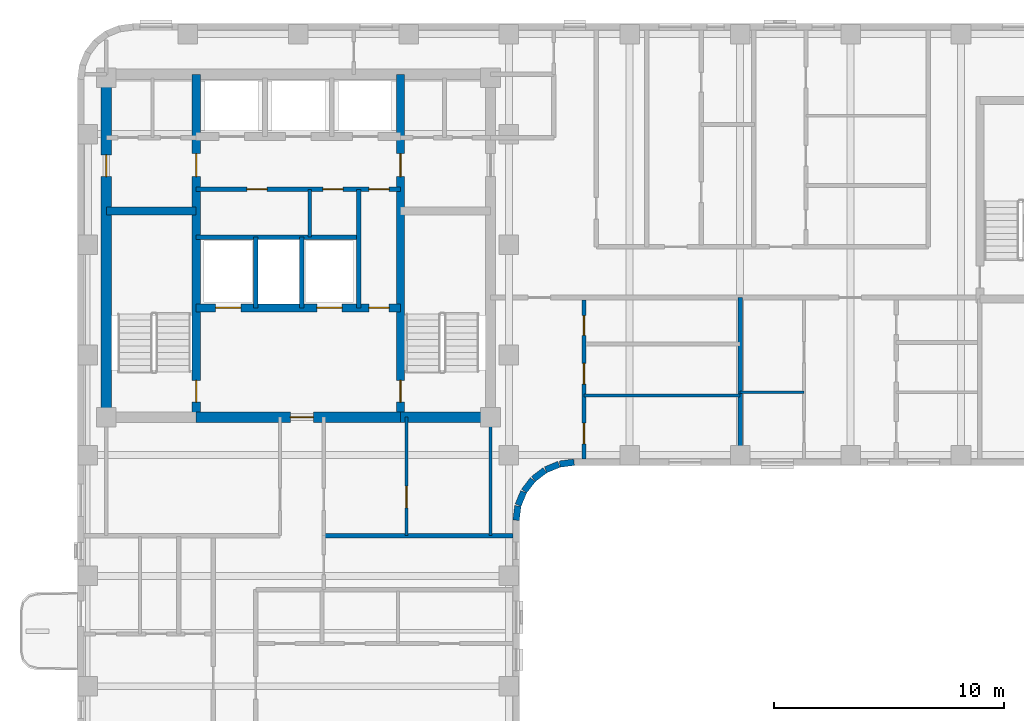
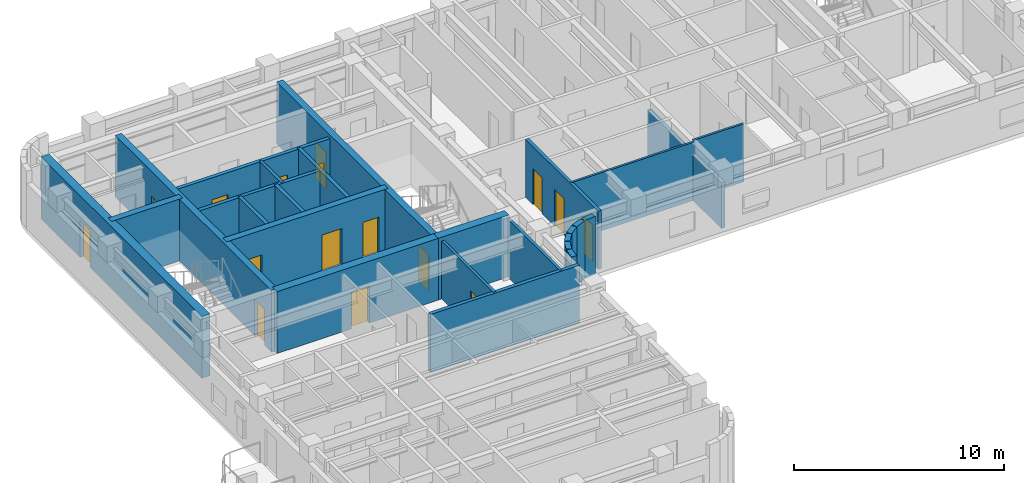
# One storey, part 4 of 10: 26 walls, 16 doors, 16 openings.
"""IFC4 building model written with IfcOpenShell, lengths in metres."""

from ifc_helpers import new_model, si_unit, direction, frame, frame_2d, origin, place, context, subcontext, project, spatial, rectangle, extrude, material, layer, layer_set, type_object, element, fill, save


model = new_model("IFC4")

# Units and contexts
model_context = context("Model", 3, precision=1e-05, world=origin(), true_north=direction((0.0, 1.0)))
body_context = subcontext(model_context, "Body", "Model", "MODEL_VIEW")
ifc_project = project(units=[si_unit("LENGTHUNIT", "METRE"), si_unit("AREAUNIT", "SQUARE_METRE"), si_unit("VOLUMEUNIT", "CUBIC_METRE"), si_unit("PLANEANGLEUNIT", "RADIAN"), si_unit("MASSUNIT", "GRAM", prefix="KILO")], contexts=[model_context])

# Site, building, storey
site_placement = place(None, origin())
site = spatial("IfcSite", under=ifc_project, at=site_placement, CompositionType="ELEMENT")
building_placement = place(site_placement, origin())
building = spatial("IfcBuilding", under=site, at=building_placement, Name="Orvandelia Arch Residences", CompositionType="ELEMENT")
storey_placement = place(building_placement, frame((0.0, 0.0, 218.199951171875)))
storey = spatial("IfcBuildingStorey", under=building, at=storey_placement, Name="L57", CompositionType="ELEMENT", Elevation=218.199951171875)

# Wall, openings, doors
ifc_material_1 = material(Name="Concrete C50/60", Category="concrete")
ifc_layer_1 = layer(ifc_material_1, 0.35009765625, Name="Concrete C50/60", Category="concrete")
ifc_layer_set_1 = layer_set([ifc_layer_1], Name="Concrete C50/60")
wall_type_1 = type_object("IfcWallType", Name="WL-CORE-350", PredefinedType="SHEAR", material=ifc_layer_set_1)
wall_1_placement = place(storey_placement, frame((9.9599609375, 30.89990234375, 0.0), z_axis=(0.0, 0.0, 1.0), x_axis=(0.0, 1.0, 0.0)))
wall_1 = element("IfcWall", 1, at=wall_1_placement, inside=storey, type_object=wall_type_1, Name="Core Shear Wall L57-WEB1", PredefinedType="SHEAR", context=body_context, shape_type="SweptSolid", body=[
    extrude(rectangle(XDim=14.900146484375, YDim=0.35009765625, at=frame_2d((7.4501953125, 0.0))), origin(), (0.0, 0.0, 1.0), 3.60009765625),
])
opening_1_placement = place(wall_1_placement, frame((0.64990234375, 0.0, 0.0)))
opening_1 = element("IfcOpeningElement", 2, at=opening_1_placement, cuts=wall_1, Name="Opening D7", PredefinedType="OPENING", context=body_context, shape_type="SweptSolid", body=[
    extrude(rectangle(XDim=0.949951171875, YDim=2.10009765625, at=frame_2d((0.47509765625, 1.050048828125))), frame((0.0, 0.18505859375, 0.0), z_axis=(0.0, -1.0, 0.0), x_axis=(1.0, 0.0, 0.0)), (0.0, 0.0, 1.0), 0.3701171875),
])
opening_2_placement = place(wall_1_placement, frame((10.449951171875, 0.0, 0.0)))
opening_2 = element("IfcOpeningElement", 3, at=opening_2_placement, cuts=wall_1, Name="Opening D6", PredefinedType="OPENING", context=body_context, shape_type="SweptSolid", body=[
    extrude(rectangle(XDim=1.0, YDim=2.14990234375, at=frame_2d((0.5, 1.074951171875))), frame((0.0, 0.18505859375, 0.0), z_axis=(0.0, -1.0, 0.0), x_axis=(1.0, 0.0, 0.0)), (0.0, 0.0, 1.0), 0.3701171875),
])
ifc_material_2 = material(Name="Smokeproof Painted Steel Fire Door", Category="steel")
door_type_1 = type_object("IfcDoorType", Name="DR-FD60-1000", OperationType="NOTDEFINED", PredefinedType="DOOR", material=ifc_material_2)
door_1_placement = place(opening_2_placement, origin())
door_1 = element("IfcDoor", 4, at=door_1_placement, inside=storey, type_object=door_type_1, Name="High-Rise Lift Hall West Vestibule Door L57", OperationType="SINGLE_SWING_LEFT", OverallHeight=2.14990234375, OverallWidth=1.0, PredefinedType="DOOR", context=body_context, shape_type="SweptSolid", body=[
    extrude(rectangle(XDim=1.0, YDim=2.14990234375, at=frame_2d((0.5, 1.074951171875))), frame((0.0, 0.02490234375, 0.0), z_axis=(0.0, -1.0, 0.0), x_axis=(1.0, 0.0, 0.0)), (0.0, 0.0, 1.0), 0.050048828125),
])
fill(opening_2, door_1)
ifc_material_3 = material(Name="Pressurised Stairwell Fire Door")
door_type_2 = type_object("IfcDoorType", Name="DR-STAIR-950", OperationType="NOTDEFINED", PredefinedType="DOOR", material=ifc_material_3)
door_2_placement = place(opening_1_placement, origin())
door_2 = element("IfcDoor", 5, at=door_2_placement, inside=storey, type_object=door_type_2, Name="Stairwell ST-1 Fire Door L57", OperationType="SINGLE_SWING_LEFT", OverallHeight=2.10009765625, OverallWidth=0.949951171875, PredefinedType="DOOR", context=body_context, shape_type="SweptSolid", body=[
    extrude(rectangle(XDim=0.949951171875, YDim=2.10009765625, at=frame_2d((0.47509765625, 1.050048828125))), frame((0.0, 0.02490234375, 0.0), z_axis=(0.0, -1.0, 0.0), x_axis=(1.0, 0.0, 0.0)), (0.0, 0.0, 1.0), 0.050048828125),
])
fill(opening_1, door_2)

wall_2_placement = place(storey_placement, frame((18.840087890625, 30.89990234375, 0.0), z_axis=(0.0, 0.0, 1.0), x_axis=(0.0, 1.0, 0.0)))
wall_2 = element("IfcWall", 6, at=wall_2_placement, inside=storey, type_object=wall_type_1, Name="Core Shear Wall L57-WEB2", PredefinedType="SHEAR", context=body_context, shape_type="SweptSolid", body=[
    extrude(rectangle(XDim=14.900146484375, YDim=0.35009765625, at=frame_2d((7.4501953125, 0.0))), origin(), (0.0, 0.0, 1.0), 3.60009765625),
])
opening_3_placement = place(wall_2_placement, frame((0.64990234375, 0.0, 0.0)))
opening_3 = element("IfcOpeningElement", 7, at=opening_3_placement, cuts=wall_2, Name="Opening D7", PredefinedType="OPENING", context=body_context, shape_type="SweptSolid", body=[
    extrude(rectangle(XDim=0.949951171875, YDim=2.10009765625, at=frame_2d((0.47509765625, 1.050048828125))), frame((0.0, 0.18505859375, 0.0), z_axis=(0.0, -1.0, 0.0), x_axis=(1.0, 0.0, 0.0)), (0.0, 0.0, 1.0), 0.3701171875),
])
opening_4_placement = place(wall_2_placement, frame((10.449951171875, 0.0, 0.0)))
opening_4 = element("IfcOpeningElement", 8, at=opening_4_placement, cuts=wall_2, Name="Opening D6", PredefinedType="OPENING", context=body_context, shape_type="SweptSolid", body=[
    extrude(rectangle(XDim=1.0, YDim=2.14990234375, at=frame_2d((0.5, 1.074951171875))), frame((0.0, 0.18505859375, 0.0), z_axis=(0.0, -1.0, 0.0), x_axis=(1.0, 0.0, 0.0)), (0.0, 0.0, 1.0), 0.3701171875),
])
door_3_placement = place(opening_4_placement, origin())
door_3 = element("IfcDoor", 9, at=door_3_placement, inside=storey, type_object=door_type_1, Name="High-Rise Lift Hall East Vestibule Door L57", OperationType="SINGLE_SWING_RIGHT", OverallHeight=2.14990234375, OverallWidth=1.0, PredefinedType="DOOR", context=body_context, shape_type="SweptSolid", body=[
    extrude(rectangle(XDim=1.0, YDim=2.14990234375, at=frame_2d((0.5, 1.074951171875))), frame((0.0, 0.02490234375, 0.0), z_axis=(0.0, -1.0, 0.0), x_axis=(1.0, 0.0, 0.0)), (0.0, 0.0, 1.0), 0.050048828125),
])
fill(opening_4, door_3)
door_4_placement = place(opening_3_placement, origin())
door_4 = element("IfcDoor", 10, at=door_4_placement, inside=storey, type_object=door_type_2, Name="Stairwell ST-2 Fire Door L57", OperationType="SINGLE_SWING_RIGHT", OverallHeight=2.10009765625, OverallWidth=0.949951171875, PredefinedType="DOOR", context=body_context, shape_type="SweptSolid", body=[
    extrude(rectangle(XDim=0.949951171875, YDim=2.10009765625, at=frame_2d((0.47509765625, 1.050048828125))), frame((0.0, 0.02490234375, 0.0), z_axis=(0.0, -1.0, 0.0), x_axis=(1.0, 0.0, 0.0)), (0.0, 0.0, 1.0), 0.050048828125),
])
fill(opening_3, door_4)

# Wall
wall_3_placement = place(storey_placement, frame((6.050048828125, 39.85009765625, 0.0), z_axis=(0.0, 0.0, 1.0), x_axis=(1.0, 0.0, 0.0)))
element("IfcWall", 11, at=wall_3_placement, inside=storey, type_object=wall_type_1, Name="Core Shear Wall L57-HZ1", PredefinedType="SHEAR", context=body_context, shape_type="SweptSolid", body=[
    extrude(rectangle(XDim=3.909912109375, YDim=0.35009765625, at=frame_2d((1.955078125, 0.0))), origin(), (0.0, 0.0, 1.0), 3.60009765625),
])

# Wall, openings, doors
wall_4_placement = place(storey_placement, frame((9.9599609375, 35.64990234375, 0.0), z_axis=(0.0, 0.0, 1.0), x_axis=(1.0, 0.0, 0.0)))
wall_4 = element("IfcWall", 12, at=wall_4_placement, inside=storey, type_object=wall_type_1, Name="Core Shear Wall L57-HZ3", PredefinedType="SHEAR", context=body_context, shape_type="SweptSolid", body=[
    extrude(rectangle(XDim=8.880126953125, YDim=0.35009765625, at=frame_2d((4.43994140625, 0.0))), origin(), (0.0, 0.0, 1.0), 3.60009765625),
])
opening_5_placement = place(wall_4_placement, frame((0.840087890625, 0.0, 0.0)))
opening_5 = element("IfcOpeningElement", 13, at=opening_5_placement, cuts=wall_4, Name="Opening FLD", PredefinedType="OPENING", context=body_context, shape_type="SweptSolid", body=[
    extrude(rectangle(XDim=1.10009765625, YDim=2.14990234375, at=frame_2d((0.550048828125, 1.074951171875))), frame((0.0, 0.18505859375, 0.0), z_axis=(0.0, -1.0, 0.0), x_axis=(1.0, 0.0, 0.0)), (0.0, 0.0, 1.0), 0.3701171875),
])
opening_6_placement = place(wall_4_placement, frame((5.239990234375, 0.0, 0.0)))
opening_6 = element("IfcOpeningElement", 14, at=opening_6_placement, cuts=wall_4, Name="Opening FLD", PredefinedType="OPENING", context=body_context, shape_type="SweptSolid", body=[
    extrude(rectangle(XDim=1.10009765625, YDim=2.14990234375, at=frame_2d((0.550048828125, 1.074951171875))), frame((0.0, 0.18505859375, 0.0), z_axis=(0.0, -1.0, 0.0), x_axis=(1.0, 0.0, 0.0)), (0.0, 0.0, 1.0), 0.3701171875),
])
opening_7_placement = place(wall_4_placement, frame((7.5, 0.0, 0.0)))
opening_7 = element("IfcOpeningElement", 15, at=opening_7_placement, cuts=wall_4, Name="Opening D5", PredefinedType="OPENING", context=body_context, shape_type="SweptSolid", body=[
    extrude(rectangle(XDim=0.8798828125, YDim=2.10009765625, at=frame_2d((0.43994140625, 1.050048828125))), frame((0.0, 0.18505859375, 0.0), z_axis=(0.0, -1.0, 0.0), x_axis=(1.0, 0.0, 0.0)), (0.0, 0.0, 1.0), 0.3701171875),
])
ifc_material_4 = material(Name="Firefighting Lift Stainless Sliding Door")
door_type_3 = type_object("IfcDoorType", Name="DR-FLFT-1100", OperationType="NOTDEFINED", PredefinedType="DOOR", material=ifc_material_4)
door_5_placement = place(opening_5_placement, origin())
door_5 = element("IfcDoor", 16, at=door_5_placement, inside=storey, type_object=door_type_3, Name="Firefighting Lift Landing Door FLD-FL1-L57", OperationType="SLIDING_TO_LEFT", OverallHeight=2.14990234375, OverallWidth=1.10009765625, PredefinedType="DOOR", context=body_context, shape_type="SweptSolid", body=[
    extrude(rectangle(XDim=1.10009765625, YDim=2.14990234375, at=frame_2d((0.550048828125, 1.074951171875))), frame((0.0, 0.02490234375, 0.0), z_axis=(0.0, -1.0, 0.0), x_axis=(1.0, 0.0, 0.0)), (0.0, 0.0, 1.0), 0.050048828125),
])
fill(opening_5, door_5)
door_6_placement = place(opening_6_placement, origin())
door_6 = element("IfcDoor", 17, at=door_6_placement, inside=storey, type_object=door_type_3, Name="Firefighting Lift Landing Door FLD-FL2-L57", OperationType="SLIDING_TO_RIGHT", OverallHeight=2.14990234375, OverallWidth=1.10009765625, PredefinedType="DOOR", context=body_context, shape_type="SweptSolid", body=[
    extrude(rectangle(XDim=1.10009765625, YDim=2.14990234375, at=frame_2d((0.550048828125, 1.074951171875))), frame((0.0, 0.02490234375, 0.0), z_axis=(0.0, -1.0, 0.0), x_axis=(1.0, 0.0, 0.0)), (0.0, 0.0, 1.0), 0.050048828125),
])
fill(opening_6, door_6)
ifc_material_5 = material(Name="Painted Galvanised Steel Service Door", Category="steel")
door_type_4 = type_object("IfcDoorType", Name="DR-SRV-880", OperationType="NOTDEFINED", PredefinedType="DOOR", material=ifc_material_5)
door_7_placement = place(opening_7_placement, origin())
door_7 = element("IfcDoor", 18, at=door_7_placement, inside=storey, type_object=door_type_4, Name="Core Stairway Passage South Fire Door L57", OperationType="SINGLE_SWING_LEFT", OverallHeight=2.10009765625, OverallWidth=0.8798828125, PredefinedType="DOOR", context=body_context, shape_type="SweptSolid", body=[
    extrude(rectangle(XDim=0.8798828125, YDim=2.10009765625, at=frame_2d((0.43994140625, 1.050048828125))), frame((0.0, 0.02490234375, 0.0), z_axis=(0.0, -1.0, 0.0), x_axis=(1.0, 0.0, 0.0)), (0.0, 0.0, 1.0), 0.050048828125),
])
fill(opening_7, door_7)

# Wall, opening, door
ifc_layer_2 = layer(ifc_material_1, 0.449951171875, Name="Concrete C50/60", Category="concrete")
ifc_layer_set_2 = layer_set([ifc_layer_2], Name="Concrete C50/60")
wall_type_2 = type_object("IfcWallType", Name="WL-CORE-450", PredefinedType="SHEAR", material=ifc_layer_set_2)
wall_5_placement = place(storey_placement, frame((6.050048828125, 30.675048828125, 0.0), z_axis=(0.0, 0.0, 1.0), x_axis=(0.0, 1.0, 0.0)))
wall_5 = element("IfcWall", 19, at=wall_5_placement, inside=storey, type_object=wall_type_2, Name="Core Shear Wall L57-W", PredefinedType="SHEAR", context=body_context, shape_type="SweptSolid", body=[
    extrude(rectangle(XDim=15.349853515625, YDim=0.449951171875, at=frame_2d((7.6748046875, 0.0))), origin(), (0.0, 0.0, 1.0), 3.60009765625),
])
opening_8_placement = place(wall_5_placement, frame((10.675048828125, 0.0, 0.0)))
opening_8 = element("IfcOpeningElement", 20, at=opening_8_placement, cuts=wall_5, Name="Opening D2", PredefinedType="OPENING", context=body_context, shape_type="SweptSolid", body=[
    extrude(rectangle(XDim=0.949951171875, YDim=2.14990234375, at=frame_2d((0.47509765625, 1.074951171875))), frame((0.0, 0.23486328125, 0.0), z_axis=(0.0, -1.0, 0.0), x_axis=(1.0, 0.0, 0.0)), (0.0, 0.0, 1.0), 0.469970703125),
])
ifc_material_6 = material(Name="Solid-Core Timber Interior Fire Door", Category="wood")
door_type_5 = type_object("IfcDoorType", Name="DR-APT-950", OperationType="NOTDEFINED", PredefinedType="DOOR", material=ifc_material_6)
door_8_placement = place(opening_8_placement, origin())
door_8 = element("IfcDoor", 21, at=door_8_placement, inside=storey, type_object=door_type_5, Name="West Viewing Study Door L57", OperationType="SINGLE_SWING_RIGHT", OverallHeight=2.14990234375, OverallWidth=0.949951171875, PredefinedType="DOOR", context=body_context, shape_type="SweptSolid", body=[
    extrude(rectangle(XDim=0.949951171875, YDim=2.14990234375, at=frame_2d((0.47509765625, 1.074951171875))), frame((0.0, 0.02490234375, 0.0), z_axis=(0.0, -1.0, 0.0), x_axis=(1.0, 0.0, 0.0)), (0.0, 0.0, 1.0), 0.050048828125),
])
fill(opening_8, door_8)

wall_6_placement = place(storey_placement, frame((9.9599609375, 30.89990234375, 0.0), z_axis=(0.0, 0.0, 1.0), x_axis=(1.0, 0.0, 0.0)))
wall_6 = element("IfcWall", 22, at=wall_6_placement, inside=storey, type_object=wall_type_2, Name="Core Shear Wall L57-SM", PredefinedType="SHEAR", context=body_context, shape_type="SweptSolid", body=[
    extrude(rectangle(XDim=8.880126953125, YDim=0.449951171875, at=frame_2d((4.43994140625, 0.0))), origin(), (0.0, 0.0, 1.0), 3.60009765625),
])
opening_9_placement = place(wall_6_placement, frame((4.090087890625, 0.0, 0.0)))
opening_9 = element("IfcOpeningElement", 23, at=opening_9_placement, cuts=wall_6, Name="Opening D6", PredefinedType="OPENING", context=body_context, shape_type="SweptSolid", body=[
    extrude(rectangle(XDim=1.0, YDim=2.14990234375, at=frame_2d((0.5, 1.074951171875))), frame((0.0, 0.23486328125, 0.0), z_axis=(0.0, -1.0, 0.0), x_axis=(1.0, 0.0, 0.0)), (0.0, 0.0, 1.0), 0.469970703125),
])
door_9_placement = place(opening_9_placement, origin())
door_9 = element("IfcDoor", 24, at=door_9_placement, inside=storey, type_object=door_type_1, Name="Firefighting Lobby Smokeproof Door L57", OperationType="SINGLE_SWING_LEFT", OverallHeight=2.14990234375, OverallWidth=1.0, PredefinedType="DOOR", context=body_context, shape_type="SweptSolid", body=[
    extrude(rectangle(XDim=1.0, YDim=2.14990234375, at=frame_2d((0.5, 1.074951171875))), frame((0.0, 0.02490234375, 0.0), z_axis=(0.0, -1.0, 0.0), x_axis=(1.0, 0.0, 0.0)), (0.0, 0.0, 1.0), 0.050048828125),
])
fill(opening_9, door_9)

# Walls
wall_7_placement = place(storey_placement, frame((18.840087890625, 30.89990234375, 0.0), z_axis=(0.0, 0.0, 1.0), x_axis=(1.0, 0.0, 0.0)))
element("IfcWall", 25, at=wall_7_placement, inside=storey, type_object=wall_type_2, Name="Core Shear Wall L57-SE", PredefinedType="SHEAR", context=body_context, shape_type="SweptSolid", body=[
    extrude(rectangle(XDim=3.909912109375, YDim=0.449951171875, at=frame_2d((1.955078125, 0.0))), origin(), (0.0, 0.0, 1.0), 3.60009765625),
])
ifc_material_7 = material(Name="Fire-Rated Corridor Partition")
ifc_layer_3 = layer(ifc_material_7, 0.199951171875, Name="Fire-Rated Corridor Partition")
ifc_layer_set_3 = layer_set([ifc_layer_3], Name="Fire-Rated Corridor Partition")
wall_type_3 = type_object("IfcWallType", Name="WL-CORR-200", PredefinedType="PARTITIONING", material=ifc_layer_set_3)
wall_8_placement = place(storey_placement, frame((15.5, 25.75, 0.0), z_axis=(0.0, 0.0, 1.0), x_axis=(1.0, 0.0, 0.0)))
element("IfcWall", 26, at=wall_8_placement, inside=storey, type_object=wall_type_3, Name="Interior Partition Wall WL-L57-WLNK-NE2", PredefinedType="PARTITIONING", context=body_context, shape_type="SweptSolid", body=[
    extrude(rectangle(XDim=8.219970703125, YDim=0.199951171875, at=frame_2d((4.10986328125, 0.0))), origin(), (0.0, 0.0, 1.0), 3.380126953125),
])
ifc_material_8 = material(Name="Concrete C40/50", Category="concrete")
ifc_layer_4 = layer(ifc_material_8, 0.199951171875, Name="Concrete C40/50", Category="concrete")
ifc_layer_set_4 = layer_set([ifc_layer_4], Name="Concrete C40/50")
wall_type_4 = type_object("IfcWallType", Name="WL-DEM-200", PredefinedType="SOLIDWALL", material=ifc_layer_set_4)
wall_9_placement = place(storey_placement, frame((33.60009765625, 29.080078125, 0.0), z_axis=(0.0, 0.0, 1.0), x_axis=(0.0, 1.0, 0.0)))
element("IfcWall", 27, at=wall_9_placement, inside=storey, type_object=wall_type_4, Name="Interior Partition Wall WL-L57-DEM-EMS-336", PredefinedType="SOLIDWALL", context=body_context, shape_type="SweptSolid", body=[
    extrude(rectangle(XDim=7.02001953125, YDim=0.199951171875, at=frame_2d((3.510009765625, 0.0))), origin(), (0.0, 0.0, 1.0), 2.66015625),
])
ifc_material_9 = material(Name="Precast concrete C40/50", Category="concrete")
ifc_layer_5 = layer(ifc_material_9, 0.280029296875, Name="Precast concrete C40/50", Category="concrete")
ifc_layer_set_5 = layer_set([ifc_layer_5], Name="Precast concrete C40/50")
wall_type_5 = type_object("IfcWallType", Name="WL-EXT-STONE-280", PredefinedType="STANDARD", material=ifc_layer_set_5)
wall_10_placement = place(storey_placement, frame((26.381591796875, 28.938720703125, 0.0), z_axis=(0.0, 0.0, 1.0), x_axis=(-0.9914410257, -0.130555323746, 0.0)))
element("IfcWall", 28, at=wall_10_placement, inside=storey, type_object=wall_type_5, Name="Coral-Limestone Precast Facade Wall L57-022", PredefinedType="STANDARD", context=body_context, shape_type="SweptSolid", body=[
    extrude(rectangle(XDim=0.62646484375, YDim=0.280029296875, at=frame_2d((0.313232421875, 0.0))), origin(), (0.0, 0.0, 1.0), 3.380126953125),
])
wall_11_placement = place(storey_placement, frame((25.72509765625, 28.847412109375, 0.0), z_axis=(0.0, 0.0, 1.0), x_axis=(-0.923974080304, -0.382455093999, 0.0)))
element("IfcWall", 29, at=wall_11_placement, inside=storey, type_object=wall_type_5, Name="Coral-Limestone Precast Facade Wall L57-023", PredefinedType="STANDARD", context=body_context, shape_type="SweptSolid", body=[
    extrude(rectangle(XDim=0.626220703125, YDim=0.280029296875, at=frame_2d((0.31298828125, 0.0))), origin(), (0.0, 0.0, 1.0), 3.380126953125),
])
for number, where, z_axis, x_axis, name in (
    (30, (25.11474609375, 28.589599609375, 0.0), (0.0, 0.0, 1.0), (-0.793405610854, -0.608693302629, 0.0), "Coral-Limestone Precast Facade Wall L57-024"),
    (31, (24.591796875, 28.182373046875, 0.0), (0.0, 0.0, 1.0), (-0.608693302629, -0.793405610854, 0.0), "Coral-Limestone Precast Facade Wall L57-025"),
    (32, (24.192138671875, 27.653564453125, 0.0), (0.0, 0.0, 1.0), (-0.382650053678, -0.92389335771, 0.0), "Coral-Limestone Precast Facade Wall L57-026"),
):
    element("IfcWall", number, at=place(storey_placement, frame(where, z_axis=z_axis, x_axis=x_axis)), inside=storey, type_object=wall_type_5, Name=name, PredefinedType="STANDARD", context=body_context, shape_type="SweptSolid", body=[
        extrude(rectangle(XDim=0.62646484375, YDim=0.280029296875, at=frame_2d((0.313232421875, 0.0))), origin(), (0.0, 0.0, 1.0), 3.380126953125),
    ])
wall_12_placement = place(storey_placement, frame((23.943115234375, 27.03955078125, 0.0), z_axis=(0.0, 0.0, 1.0), x_axis=(-0.130887801573, -0.991397187508, 0.0)))
element("IfcWall", 33, at=wall_12_placement, inside=storey, type_object=wall_type_5, Name="Coral-Limestone Precast Facade Wall L57-027", PredefinedType="STANDARD", context=body_context, shape_type="SweptSolid", body=[
    extrude(rectangle(XDim=0.626708984375, YDim=0.280029296875, at=frame_2d((0.3134765625, 0.0))), origin(), (0.0, 0.0, 1.0), 3.380126953125),
])
ifc_material_10 = material(Name="Lightweight Gypsum Stud Partition")
ifc_layer_6 = layer(ifc_material_10, 0.1201171875, Name="Lightweight Gypsum Stud Partition")
ifc_layer_set_6 = layer_set([ifc_layer_6], Name="Lightweight Gypsum Stud Partition")
wall_type_6 = type_object("IfcWallType", Name="WL-PART-120", PredefinedType="PARTITIONING", material=ifc_layer_set_6)
wall_13_placement = place(storey_placement, frame((26.81298828125, 31.8359375, 0.0), z_axis=(0.0, 0.0, 1.0), x_axis=(1.0, 0.0, 0.0)))
element("IfcWall", 34, at=wall_13_placement, inside=storey, type_object=wall_type_6, Name="Interior Partition Wall WL-L57-U05-H1", PredefinedType="PARTITIONING", context=body_context, shape_type="SweptSolid", body=[
    extrude(rectangle(XDim=6.787109375, YDim=0.1201171875, at=frame_2d((3.3935546875, 0.0))), origin(), (0.0, 0.0, 1.0), 3.380126953125),
])
wall_14_placement = place(storey_placement, frame((33.60009765625, 31.97509765625, 0.0), z_axis=(0.0, 0.0, 1.0), x_axis=(1.0, 0.0, 0.0)))
element("IfcWall", 35, at=wall_14_placement, inside=storey, type_object=wall_type_6, Name="Interior Partition Wall WL-L57-U06-HB", PredefinedType="PARTITIONING", context=body_context, shape_type="SweptSolid", body=[
    extrude(rectangle(XDim=2.77490234375, YDim=0.1201171875, at=frame_2d((1.387451171875, 0.0))), origin(), (0.0, 0.0, 1.0), 3.380126953125),
])
ifc_material_11 = material(Name="Acoustic Gypsum Stud Partition")
ifc_layer_7 = layer(ifc_material_11, 0.14990234375, Name="Acoustic Gypsum Stud Partition")
ifc_layer_set_7 = layer_set([ifc_layer_7], Name="Acoustic Gypsum Stud Partition")
wall_type_7 = type_object("IfcWallType", Name="WL-PART-150", PredefinedType="PARTITIONING", material=ifc_layer_set_7)
wall_15_placement = place(storey_placement, frame((14.89990234375, 38.719970703125, 0.0), z_axis=(0.0, 0.0, 1.0), x_axis=(0.0, 1.0, 0.0)))
element("IfcWall", 36, at=wall_15_placement, inside=storey, type_object=wall_type_7, Name="Interior Partition Wall WL-L57-CSA-1", PredefinedType="PARTITIONING", context=body_context, shape_type="SweptSolid", body=[
    extrude(rectangle(XDim=2.080078125, YDim=0.14990234375, at=frame_2d((1.0400390625, 0.0))), origin(), (0.0, 0.0, 1.0), 3.380126953125),
])
wall_16_placement = place(storey_placement, frame((22.75, 25.75, 0.0), z_axis=(0.0, 0.0, 1.0), x_axis=(0.0, 1.0, 0.0)))
element("IfcWall", 37, at=wall_16_placement, inside=storey, type_object=wall_type_7, Name="Interior Partition Wall WL-L57-HI-WE", PredefinedType="PARTITIONING", context=body_context, shape_type="SweptSolid", body=[
    extrude(rectangle(XDim=5.14990234375, YDim=0.14990234375, at=frame_2d((2.574951171875, 0.0))), origin(), (0.0, 0.0, 1.0), 3.380126953125),
])

# Wall, opening, door
wall_17_placement = place(storey_placement, frame((19.10009765625, 25.75, 0.0), z_axis=(0.0, 0.0, 1.0), x_axis=(0.0, 1.0, 0.0)))
wall_17 = element("IfcWall", 38, at=wall_17_placement, inside=storey, type_object=wall_type_7, Name="Interior Partition Wall WL-L57-HIR-M2", PredefinedType="PARTITIONING", context=body_context, shape_type="SweptSolid", body=[
    extrude(rectangle(XDim=5.14990234375, YDim=0.14990234375, at=frame_2d((2.574951171875, 0.0))), origin(), (0.0, 0.0, 1.0), 3.380126953125),
])
opening_10_placement = place(wall_17_placement, frame((1.199951171875, 0.0, 0.0)))
opening_10 = element("IfcOpeningElement", 39, at=opening_10_placement, cuts=wall_17, Name="Opening D2", PredefinedType="OPENING", context=body_context, shape_type="SweptSolid", body=[
    extrude(rectangle(XDim=0.949951171875, YDim=2.14990234375, at=frame_2d((0.47509765625, 1.074951171875))), frame((0.0, 0.0849609375, 0.0), z_axis=(0.0, -1.0, 0.0), x_axis=(1.0, 0.0, 0.0)), (0.0, 0.0, 1.0), 0.169921875),
])
door_10_placement = place(opening_10_placement, origin())
door_10 = element("IfcDoor", 40, at=door_10_placement, inside=storey, type_object=door_type_5, Name="DR-L57-HIR2B", OperationType="SINGLE_SWING_LEFT", OverallHeight=2.14990234375, OverallWidth=0.949951171875, PredefinedType="DOOR", context=body_context, shape_type="SweptSolid", body=[
    extrude(rectangle(XDim=0.949951171875, YDim=2.14990234375, at=frame_2d((0.47509765625, 1.074951171875))), frame((0.0, 0.02490234375, 0.0), z_axis=(0.0, -1.0, 0.0), x_axis=(1.0, 0.0, 0.0)), (0.0, 0.0, 1.0), 0.050048828125),
])
fill(opening_10, door_10)

# Walls
ifc_material_12 = material(Name="Fire-Rated Shaft Enclosure Wall")
ifc_layer_8 = layer(ifc_material_12, 0.199951171875, Name="Fire-Rated Shaft Enclosure Wall")
ifc_layer_set_8 = layer_set([ifc_layer_8], Name="Fire-Rated Shaft Enclosure Wall")
wall_type_8 = type_object("IfcWallType", Name="WL-SHAFT-200", PredefinedType="POLYGONAL", material=ifc_layer_set_8)
wall_18_placement = place(storey_placement, frame((9.9599609375, 38.719970703125, 0.0), z_axis=(0.0, 0.0, 1.0), x_axis=(1.0, 0.0, 0.0)))
element("IfcWall", 41, at=wall_18_placement, inside=storey, type_object=wall_type_8, Name="Interior Partition Wall WL-L57-FLN", PredefinedType="POLYGONAL", context=body_context, shape_type="SweptSolid", body=[
    extrude(rectangle(XDim=7.06005859375, YDim=0.199951171875, at=frame_2d((3.530029296875, 0.0))), origin(), (0.0, 0.0, 1.0), 3.380126953125),
])
for number, where, z_axis, x_axis, name in (
    (42, (12.550048828125, 35.64990234375, 0.0), (0.0, 0.0, 1.0), (0.0, 1.0, 0.0), "Interior Partition Wall WL-L57-FLM1"),
    (43, (14.550048828125, 35.64990234375, 0.0), (0.0, 0.0, 1.0), (0.0, 1.0, 0.0), "Interior Partition Wall WL-L57-FLM2"),
):
    element("IfcWall", number, at=place(storey_placement, frame(where, z_axis=z_axis, x_axis=x_axis)), inside=storey, type_object=wall_type_8, Name=name, PredefinedType="POLYGONAL", context=body_context, shape_type="SweptSolid", body=[
        extrude(rectangle(XDim=3.070068359375, YDim=0.199951171875, at=frame_2d((1.53515625, 0.0))), origin(), (0.0, 0.0, 1.0), 3.380126953125),
    ])
wall_19_placement = place(storey_placement, frame((17.02001953125, 35.64990234375, 0.0), z_axis=(0.0, 0.0, 1.0), x_axis=(0.0, 1.0, 0.0)))
element("IfcWall", 44, at=wall_19_placement, inside=storey, type_object=wall_type_8, Name="Interior Partition Wall WL-L57-FLM3", PredefinedType="POLYGONAL", context=body_context, shape_type="SweptSolid", body=[
    extrude(rectangle(XDim=5.150146484375, YDim=0.199951171875, at=frame_2d((2.5751953125, 0.0))), origin(), (0.0, 0.0, 1.0), 3.380126953125),
])

# Wall, openings, doors
wall_20_placement = place(storey_placement, frame((9.9599609375, 40.800048828125, 0.0), z_axis=(0.0, 0.0, 1.0), x_axis=(1.0, 0.0, 0.0)))
wall_20 = element("IfcWall", 45, at=wall_20_placement, inside=storey, type_object=wall_type_8, Name="Interior Partition Wall WL-L57-HLH-S", PredefinedType="POLYGONAL", context=body_context, shape_type="SweptSolid", body=[
    extrude(rectangle(XDim=8.880126953125, YDim=0.199951171875, at=frame_2d((4.43994140625, 0.0))), origin(), (0.0, 0.0, 1.0), 3.380126953125),
])
opening_11_placement = place(wall_20_placement, frame((7.5, 0.0, 0.0)))
opening_11 = element("IfcOpeningElement", 46, at=opening_11_placement, cuts=wall_20, Name="Opening D5", PredefinedType="OPENING", context=body_context, shape_type="SweptSolid", body=[
    extrude(rectangle(XDim=0.8798828125, YDim=2.10009765625, at=frame_2d((0.43994140625, 1.050048828125))), frame((0.0, 0.10986328125, 0.0), z_axis=(0.0, -1.0, 0.0), x_axis=(1.0, 0.0, 0.0)), (0.0, 0.0, 1.0), 0.219970703125),
])
opening_12_placement = place(wall_20_placement, frame((2.199951171875, 0.0, 0.0)))
opening_12 = element("IfcOpeningElement", 47, at=opening_12_placement, cuts=wall_20, Name="Opening D5", PredefinedType="OPENING", context=body_context, shape_type="SweptSolid", body=[
    extrude(rectangle(XDim=0.8798828125, YDim=2.10009765625, at=frame_2d((0.43994140625, 1.050048828125))), frame((0.0, 0.10986328125, 0.0), z_axis=(0.0, -1.0, 0.0), x_axis=(1.0, 0.0, 0.0)), (0.0, 0.0, 1.0), 0.219970703125),
])
opening_13_placement = place(wall_20_placement, frame((5.5, 0.0, 0.0)))
opening_13 = element("IfcOpeningElement", 48, at=opening_13_placement, cuts=wall_20, Name="Opening D5", PredefinedType="OPENING", context=body_context, shape_type="SweptSolid", body=[
    extrude(rectangle(XDim=0.8798828125, YDim=2.10009765625, at=frame_2d((0.43994140625, 1.050048828125))), frame((0.0, 0.10986328125, 0.0), z_axis=(0.0, -1.0, 0.0), x_axis=(1.0, 0.0, 0.0)), (0.0, 0.0, 1.0), 0.219970703125),
])
door_11_placement = place(opening_11_placement, origin())
door_11 = element("IfcDoor", 49, at=door_11_placement, inside=storey, type_object=door_type_4, Name="Core Stairway Passage North Fire Door L57", OperationType="SINGLE_SWING_RIGHT", OverallHeight=2.10009765625, OverallWidth=0.8798828125, PredefinedType="DOOR", context=body_context, shape_type="SweptSolid", body=[
    extrude(rectangle(XDim=0.8798828125, YDim=2.10009765625, at=frame_2d((0.43994140625, 1.050048828125))), frame((0.0, 0.02490234375, 0.0), z_axis=(0.0, -1.0, 0.0), x_axis=(1.0, 0.0, 0.0)), (0.0, 0.0, 1.0), 0.050048828125),
])
fill(opening_11, door_11)
door_12_placement = place(opening_12_placement, origin())
door_12 = element("IfcDoor", 50, at=door_12_placement, inside=storey, type_object=door_type_4, Name="DR-L57-CSA1", OperationType="SINGLE_SWING_RIGHT", OverallHeight=2.10009765625, OverallWidth=0.8798828125, PredefinedType="DOOR", context=body_context, shape_type="SweptSolid", body=[
    extrude(rectangle(XDim=0.8798828125, YDim=2.10009765625, at=frame_2d((0.43994140625, 1.050048828125))), frame((0.0, 0.02490234375, 0.0), z_axis=(0.0, -1.0, 0.0), x_axis=(1.0, 0.0, 0.0)), (0.0, 0.0, 1.0), 0.050048828125),
])
fill(opening_12, door_12)
door_13_placement = place(opening_13_placement, origin())
door_13 = element("IfcDoor", 51, at=door_13_placement, inside=storey, type_object=door_type_4, Name="DR-L57-CSA2", OperationType="SINGLE_SWING_LEFT", OverallHeight=2.10009765625, OverallWidth=0.8798828125, PredefinedType="DOOR", context=body_context, shape_type="SweptSolid", body=[
    extrude(rectangle(XDim=0.8798828125, YDim=2.10009765625, at=frame_2d((0.43994140625, 1.050048828125))), frame((0.0, 0.02490234375, 0.0), z_axis=(0.0, -1.0, 0.0), x_axis=(1.0, 0.0, 0.0)), (0.0, 0.0, 1.0), 0.050048828125),
])
fill(opening_13, door_13)

ifc_material_13 = material(Name="Moisture-Resistant Plumbing Wall")
ifc_layer_9 = layer(ifc_material_13, 0.179931640625, Name="Moisture-Resistant Plumbing Wall")
ifc_layer_set_9 = layer_set([ifc_layer_9], Name="Moisture-Resistant Plumbing Wall")
wall_type_9 = type_object("IfcWallType", Name="WL-WET-180", PredefinedType="PLUMBINGWALL", material=ifc_layer_set_9)
wall_21_placement = place(storey_placement, frame((26.81298828125, 29.080078125, 0.0), z_axis=(0.0, 0.0, 1.0), x_axis=(0.0, 1.0, 0.0)))
wall_21 = element("IfcWall", 52, at=wall_21_placement, inside=storey, type_object=wall_type_9, Name="Interior Partition Wall WL-L57-U05-VT", PredefinedType="PLUMBINGWALL", context=body_context, shape_type="SweptSolid", body=[
    extrude(rectangle(XDim=6.919921875, YDim=0.179931640625, at=frame_2d((3.4599609375, 0.0))), origin(), (0.0, 0.0, 1.0), 3.380126953125),
])
opening_14_placement = place(wall_21_placement, frame((0.65673828125, 0.0, 0.0)))
opening_14 = element("IfcOpeningElement", 53, at=opening_14_placement, cuts=wall_21, Name="Opening D3", PredefinedType="OPENING", context=body_context, shape_type="SweptSolid", body=[
    extrude(rectangle(XDim=0.89990234375, YDim=2.14990234375, at=frame_2d((0.449951171875, 1.074951171875))), frame((0.0, 0.10009765625, 0.0), z_axis=(0.0, -1.0, 0.0), x_axis=(1.0, 0.0, 0.0)), (0.0, 0.0, 1.0), 0.199951171875),
])
opening_15_placement = place(wall_21_placement, frame((3.25048828125, 0.0, 0.0)))
opening_15 = element("IfcOpeningElement", 54, at=opening_15_placement, cuts=wall_21, Name="Opening D3", PredefinedType="OPENING", context=body_context, shape_type="SweptSolid", body=[
    extrude(rectangle(XDim=0.89990234375, YDim=2.14990234375, at=frame_2d((0.449951171875, 1.074951171875))), frame((0.0, 0.10009765625, 0.0), z_axis=(0.0, -1.0, 0.0), x_axis=(1.0, 0.0, 0.0)), (0.0, 0.0, 1.0), 0.199951171875),
])
opening_16_placement = place(wall_21_placement, frame((5.37158203125, 0.0, 0.0)))
opening_16 = element("IfcOpeningElement", 55, at=opening_16_placement, cuts=wall_21, Name="Opening D4", PredefinedType="OPENING", context=body_context, shape_type="SweptSolid", body=[
    extrude(rectangle(XDim=0.860107421875, YDim=2.10009765625, at=frame_2d((0.43017578125, 1.050048828125))), frame((0.0, 0.10009765625, 0.0), z_axis=(0.0, -1.0, 0.0), x_axis=(1.0, 0.0, 0.0)), (0.0, 0.0, 1.0), 0.199951171875),
])
ifc_material_14 = material(Name="Engineered Timber Flush Door", Category="wood")
door_type_6 = type_object("IfcDoorType", Name="DR-INT-900", OperationType="NOTDEFINED", PredefinedType="DOOR", material=ifc_material_14)
door_14_placement = place(opening_14_placement, origin())
door_14 = element("IfcDoor", 56, at=door_14_placement, inside=storey, type_object=door_type_6, Name="DR-L57-U05-BD1", OperationType="SINGLE_SWING_LEFT", OverallHeight=2.14990234375, OverallWidth=0.89990234375, PredefinedType="DOOR", context=body_context, shape_type="SweptSolid", body=[
    extrude(rectangle(XDim=0.89990234375, YDim=2.14990234375, at=frame_2d((0.449951171875, 1.074951171875))), frame((0.0, 0.02490234375, 0.0), z_axis=(0.0, -1.0, 0.0), x_axis=(1.0, 0.0, 0.0)), (0.0, 0.0, 1.0), 0.050048828125),
])
fill(opening_14, door_14)
door_15_placement = place(opening_15_placement, origin())
door_15 = element("IfcDoor", 57, at=door_15_placement, inside=storey, type_object=door_type_6, Name="DR-L57-U05-KIT", OperationType="SINGLE_SWING_RIGHT", OverallHeight=2.14990234375, OverallWidth=0.89990234375, PredefinedType="DOOR", context=body_context, shape_type="SweptSolid", body=[
    extrude(rectangle(XDim=0.89990234375, YDim=2.14990234375, at=frame_2d((0.449951171875, 1.074951171875))), frame((0.0, 0.02490234375, 0.0), z_axis=(0.0, -1.0, 0.0), x_axis=(1.0, 0.0, 0.0)), (0.0, 0.0, 1.0), 0.050048828125),
])
fill(opening_15, door_15)
ifc_material_15 = material(Name="Moisture-Sealed Timber Bathroom Door", Category="wood")
door_type_7 = type_object("IfcDoorType", Name="DR-WET-900", OperationType="NOTDEFINED", PredefinedType="DOOR", material=ifc_material_15)
door_16_placement = place(opening_16_placement, origin())
door_16 = element("IfcDoor", 58, at=door_16_placement, inside=storey, type_object=door_type_7, Name="DR-L57-U05-BTH", OperationType="SINGLE_SWING_LEFT", OverallHeight=2.10009765625, OverallWidth=0.860107421875, PredefinedType="DOOR", context=body_context, shape_type="SweptSolid", body=[
    extrude(rectangle(XDim=0.860107421875, YDim=2.10009765625, at=frame_2d((0.43017578125, 1.050048828125))), frame((0.0, 0.02490234375, 0.0), z_axis=(0.0, -1.0, 0.0), x_axis=(1.0, 0.0, 0.0)), (0.0, 0.0, 1.0), 0.050048828125),
])
fill(opening_16, door_16)

save(model, "model.ifc")
